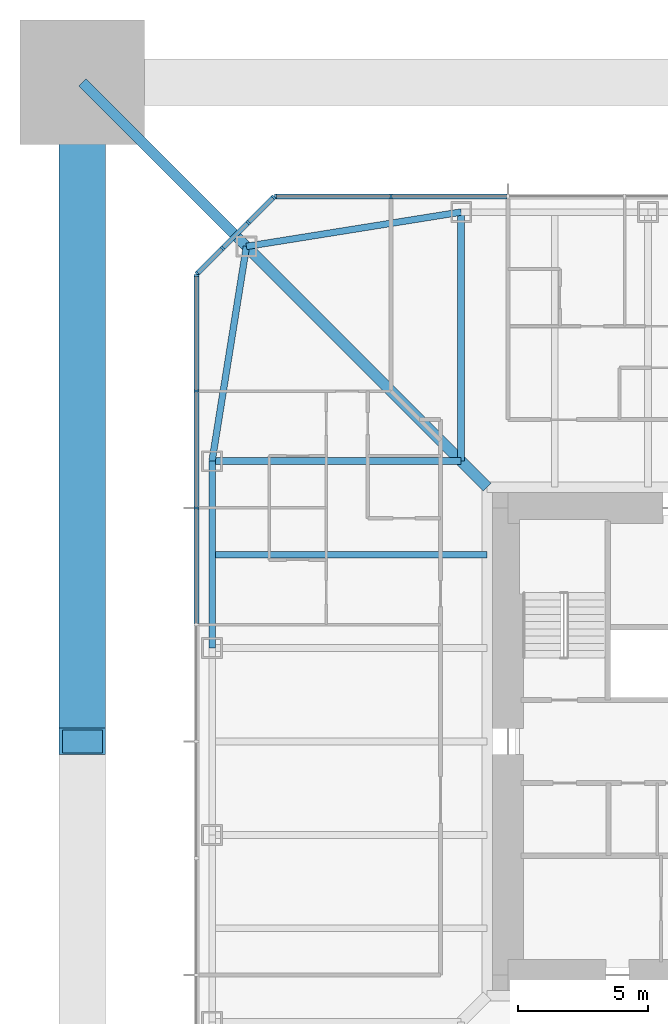
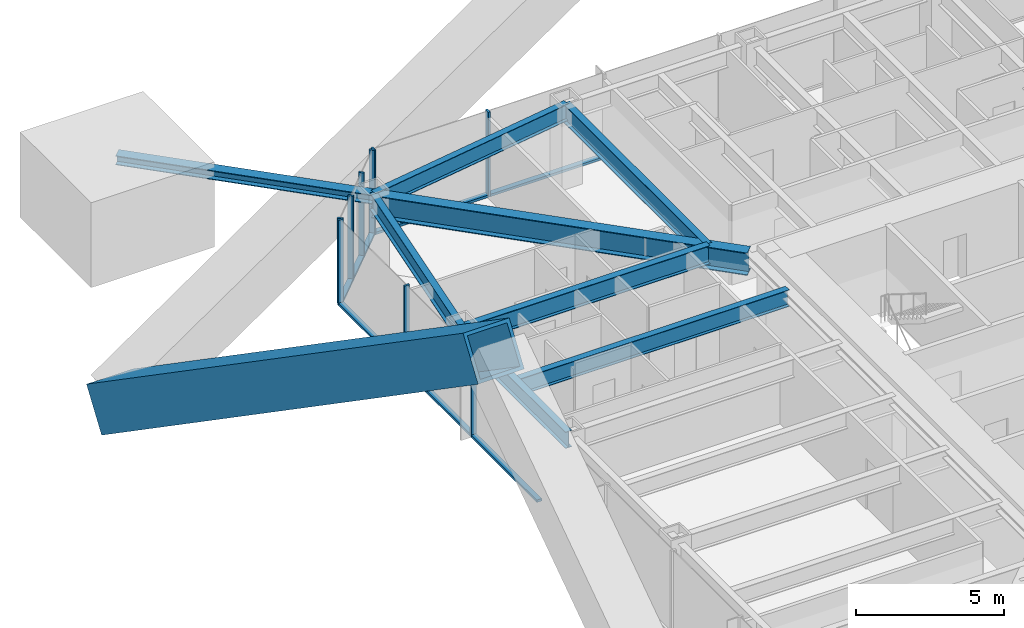
# One storey, part 6 of 26: 19 members, 7 beams, 3 elements without a shape of their own.
"""IFC4 building model written with IfcOpenShell, lengths in metres."""

from ifc_helpers import new_model, si_unit, direction, frame, origin, origin_2d, place, context, subcontext, project, spatial, rectangle, hollow_rectangle, i_section, extrude, material, material_profile, profile_set, type_object, element, aggregate, save


model = new_model("IFC4")

# Units and contexts
model_context = context("Model", 3, precision=1e-05, world=origin(), true_north=direction((0.0, 1.0)))
body_context = subcontext(model_context, "Body", "Model", "MODEL_VIEW")
ifc_project = project(units=[si_unit("LENGTHUNIT", "METRE"), si_unit("AREAUNIT", "SQUARE_METRE"), si_unit("VOLUMEUNIT", "CUBIC_METRE"), si_unit("PLANEANGLEUNIT", "RADIAN"), si_unit("MASSUNIT", "GRAM", prefix="KILO")], contexts=[model_context])

# Site, building, storey
site_placement = place(None, origin())
site = spatial("IfcSite", under=ifc_project, at=site_placement, CompositionType="ELEMENT")
building_placement = place(site_placement, origin())
building = spatial("IfcBuilding", under=site, at=building_placement, Name="Iwan Alto Co-Living Towers", CompositionType="ELEMENT")
storey_placement = place(building_placement, frame((0.0, 0.0, 115.5)))
storey = spatial("IfcBuildingStorey", under=building, at=storey_placement, Name="L31", CompositionType="ELEMENT", Elevation=115.5)

# Curtain wall, members
ifc_material_1 = material(Name="Bronze aluminium unitised frame", Category="aluminium")
curtain_wall_type_1 = type_object("IfcCurtainWallType", Name="CURTAIN WALL CW-A", PredefinedType="NOTDEFINED", material=ifc_material_1)
curtain_wall_1_placement = place(storey_placement, origin())
curtain_wall_1 = element("IfcCurtainWall", 1, at=curtain_wall_1_placement, inside=storey, type_object=curtain_wall_type_1, Name="T1 curtain wall N L31", PredefinedType="NOTDEFINED")
ifc_material_2 = material(Name="Aluminium 6063-T6 bronze anodised", Category="aluminium")
ifc_material_profile_1 = material_profile(ifc_material_2, rectangle(XDim=0.199951171875, YDim=0.080078125, at=origin_2d()), Name="AL 80X200")
ifc_profile_set_1 = profile_set([ifc_material_profile_1], Name="Aluminium 6063-T6 bronze anodised")
member_type_1 = type_object("IfcMemberType", Name="CW-A MULLION 80X200", PredefinedType="MULLION", material=ifc_profile_set_1)
member_1_placement = place(storey_placement, frame((-13.5, 21.0, 0.0), z_axis=(0.0, 0.0, 1.0), x_axis=(0.0, -1.0, 0.0)))
member_1 = element("IfcMember", 2, at=member_1_placement, type_object=member_type_1, Name="CW-A mullion 8", PredefinedType="MULLION", context=body_context, shape_type="SweptSolid", body=[
    extrude(rectangle(XDim=0.199951171875, YDim=0.080078125, at=origin_2d()), origin(), (0.0, 0.0, 1.0), 3.5),
])
member_2_placement = place(storey_placement, frame((-17.9599609375, 21.0, 0.0), z_axis=(0.0, 0.0, 1.0), x_axis=(0.0, -1.0, 0.0)))
member_2 = element("IfcMember", 3, at=member_2_placement, type_object=member_type_1, Name="CW-A mullion 9", PredefinedType="MULLION", context=body_context, shape_type="SweptSolid", body=[
    extrude(rectangle(XDim=0.199951171875, YDim=0.080078125, at=origin_2d()), origin(), (0.0, 0.0, 1.0), 3.5),
])

curtain_wall_2_placement = place(storey_placement, origin())
curtain_wall_2 = element("IfcCurtainWall", 4, at=curtain_wall_2_placement, inside=storey, type_object=curtain_wall_type_1, Name="T1 curtain wall W L31", PredefinedType="NOTDEFINED")
member_3_placement = place(storey_placement, frame((-21.0, 17.9599609375, 0.0), z_axis=(0.0, 0.0, 1.0), x_axis=(1.0, 0.0, 0.0)))
member_3 = element("IfcMember", 5, at=member_3_placement, type_object=member_type_1, Name="CW-A mullion 1", PredefinedType="MULLION", context=body_context, shape_type="SweptSolid", body=[
    extrude(rectangle(XDim=0.199951171875, YDim=0.080078125, at=origin_2d()), origin(), (0.0, 0.0, 1.0), 3.5),
])
member_4_placement = place(storey_placement, frame((-21.0, 13.5, 0.0), z_axis=(0.0, 0.0, 1.0), x_axis=(1.0, 0.0, 0.0)))
member_4 = element("IfcMember", 6, at=member_4_placement, type_object=member_type_1, Name="CW-A mullion 2", PredefinedType="MULLION", context=body_context, shape_type="SweptSolid", body=[
    extrude(rectangle(XDim=0.199951171875, YDim=0.080078125, at=origin_2d()), origin(), (0.0, 0.0, 1.0), 3.5),
])
member_5_placement = place(storey_placement, frame((-21.0, 9.0, 0.0), z_axis=(0.0, 0.0, 1.0), x_axis=(1.0, 0.0, 0.0)))
member_5 = element("IfcMember", 7, at=member_5_placement, type_object=member_type_1, Name="CW-A mullion 3", PredefinedType="MULLION", context=body_context, shape_type="SweptSolid", body=[
    extrude(rectangle(XDim=0.199951171875, YDim=0.080078125, at=origin_2d()), origin(), (0.0, 0.0, 1.0), 3.5),
])

# Member
ifc_material_3 = material(Name="Aluminium 6063-T6 bronze anodised", Category="aluminium")
ifc_material_profile_2 = material_profile(ifc_material_3, rectangle(XDim=0.199951171875, YDim=0.10009765625, at=origin_2d()), Name="AL 200X100")
ifc_profile_set_2 = profile_set([ifc_material_profile_2], Name="Aluminium 6063-T6 bronze anodised")
member_type_2 = type_object("IfcMemberType", Name="CW-A TRANSOM 200X100", PredefinedType="USERDEFINED", material=ifc_profile_set_2)
member_6_placement = place(storey_placement, frame((-9.0400390625, 21.0, 0.050048828125), z_axis=(-1.0, 0.0, 0.0), x_axis=(0.0, -1.0, 0.0)))
member_6 = element("IfcMember", 8, at=member_6_placement, type_object=member_type_2, Name="CW-A transom 7.1", ObjectType="TRANSOM", PredefinedType="USERDEFINED", context=body_context, shape_type="SweptSolid", body=[
    extrude(rectangle(XDim=0.199951171875, YDim=0.10009765625, at=origin_2d()), origin(), (0.0, 0.0, 1.0), 4.419921875),
])

member_7_placement = place(storey_placement, frame((-13.5400390625, 21.0, 0.050048828125), z_axis=(-1.0, 0.0, 0.0), x_axis=(0.0, -1.0, 0.0)))
member_7 = element("IfcMember", 9, at=member_7_placement, type_object=member_type_2, Name="CW-A transom 8.1", ObjectType="TRANSOM", PredefinedType="USERDEFINED", context=body_context, shape_type="SweptSolid", body=[
    extrude(rectangle(XDim=0.199951171875, YDim=0.10009765625, at=origin_2d()), origin(), (0.0, 0.0, 1.0), 4.3798828125),
])

aggregate(curtain_wall_1, [member_1, member_2, member_6, member_7])

member_8_placement = place(storey_placement, frame((-21.0, 17.919921875, 0.050048828125), z_axis=(0.0, -1.0, 0.0), x_axis=(1.0, 0.0, 0.0)))
member_8 = element("IfcMember", 10, at=member_8_placement, type_object=member_type_2, Name="CW-A transom 1.1", ObjectType="TRANSOM", PredefinedType="USERDEFINED", context=body_context, shape_type="SweptSolid", body=[
    extrude(rectangle(XDim=0.199951171875, YDim=0.10009765625, at=origin_2d()), origin(), (0.0, 0.0, 1.0), 4.3798828125),
])

member_9_placement = place(storey_placement, frame((-21.0, 13.4599609375, 0.050048828125), z_axis=(0.0, -1.0, 0.0), x_axis=(1.0, 0.0, 0.0)))
member_9 = element("IfcMember", 11, at=member_9_placement, type_object=member_type_2, Name="CW-A transom 2.1", ObjectType="TRANSOM", PredefinedType="USERDEFINED", context=body_context, shape_type="SweptSolid", body=[
    extrude(rectangle(XDim=0.199951171875, YDim=0.10009765625, at=origin_2d()), origin(), (0.0, 0.0, 1.0), 4.419921875),
])

member_10_placement = place(storey_placement, frame((-21.0, 8.9599609375, 0.050048828125), z_axis=(0.0, -1.0, 0.0), x_axis=(1.0, 0.0, 0.0)))
member_10 = element("IfcMember", 12, at=member_10_placement, type_object=member_type_2, Name="CW-A transom 3.1", ObjectType="TRANSOM", PredefinedType="USERDEFINED", context=body_context, shape_type="SweptSolid", body=[
    extrude(rectangle(XDim=0.199951171875, YDim=0.10009765625, at=origin_2d()), origin(), (0.0, 0.0, 1.0), 4.419921875),
])

aggregate(curtain_wall_2, [member_3, member_4, member_5, member_8, member_9, member_10])

# Curtain wall, members
ifc_material_4 = material(Name="Bronze aluminium unitised frame", Category="aluminium")
curtain_wall_type_2 = type_object("IfcCurtainWallType", Name="CURTAIN WALL CW-B", PredefinedType="NOTDEFINED", material=ifc_material_4)
curtain_wall_3_placement = place(storey_placement, origin())
curtain_wall_3 = element("IfcCurtainWall", 13, at=curtain_wall_3_placement, inside=storey, type_object=curtain_wall_type_2, Name="T1 chamfer curtain wall NW L31", PredefinedType="NOTDEFINED")
ifc_material_5 = material(Name="Aluminium 6063-T6 bronze anodised", Category="aluminium")
ifc_material_profile_3 = material_profile(ifc_material_5, rectangle(XDim=0.199951171875, YDim=0.080078125, at=origin_2d()), Name="AL 80X200")
ifc_profile_set_3 = profile_set([ifc_material_profile_3], Name="Aluminium 6063-T6 bronze anodised")
member_type_3 = type_object("IfcMemberType", Name="CW-B MULLION 80X200", PredefinedType="MULLION", material=ifc_profile_set_3)
member_11_placement = place(storey_placement, frame((-18.0283203125, 20.9716796875, 0.0), z_axis=(0.0, 0.0, 1.0), x_axis=(0.707106781187, -0.707106781187, 0.0)))
member_11 = element("IfcMember", 14, at=member_11_placement, type_object=member_type_3, Name="CW-B mullion 1", PredefinedType="MULLION", context=body_context, shape_type="SweptSolid", body=[
    extrude(rectangle(XDim=0.199951171875, YDim=0.080078125, at=origin_2d()), origin(), (0.0, 0.0, 1.0), 3.5),
])
member_12_placement = place(storey_placement, frame((-19.0, 20.0, 0.0), z_axis=(0.0, 0.0, 1.0), x_axis=(0.707106781187, -0.707106781187, 0.0)))
member_12 = element("IfcMember", 15, at=member_12_placement, type_object=member_type_3, Name="CW-B mullion 2", PredefinedType="MULLION", context=body_context, shape_type="SweptSolid", body=[
    extrude(rectangle(XDim=0.199951171875, YDim=0.080078125, at=origin_2d()), origin(), (0.0, 0.0, 1.0), 3.5),
])
member_13_placement = place(storey_placement, frame((-20.0, 19.0, 0.0), z_axis=(0.0, 0.0, 1.0), x_axis=(0.707106781187, -0.707106781187, 0.0)))
member_13 = element("IfcMember", 16, at=member_13_placement, type_object=member_type_3, Name="CW-B mullion 3", PredefinedType="MULLION", context=body_context, shape_type="SweptSolid", body=[
    extrude(rectangle(XDim=0.199951171875, YDim=0.080078125, at=origin_2d()), origin(), (0.0, 0.0, 1.0), 3.5),
])
member_14_placement = place(storey_placement, frame((-20.9716796875, 18.0283203125, 0.0), z_axis=(0.0, 0.0, 1.0), x_axis=(0.707106781187, -0.707106781187, 0.0)))
member_14 = element("IfcMember", 17, at=member_14_placement, type_object=member_type_3, Name="CW-B mullion 4", PredefinedType="MULLION", context=body_context, shape_type="SweptSolid", body=[
    extrude(rectangle(XDim=0.199951171875, YDim=0.080078125, at=origin_2d()), origin(), (0.0, 0.0, 1.0), 3.5),
])
ifc_material_6 = material(Name="Aluminium 6063-T6 bronze anodised", Category="aluminium")
ifc_material_profile_4 = material_profile(ifc_material_6, rectangle(XDim=0.199951171875, YDim=0.10009765625, at=origin_2d()), Name="AL 200X100")
ifc_profile_set_4 = profile_set([ifc_material_profile_4], Name="Aluminium 6063-T6 bronze anodised")
member_type_4 = type_object("IfcMemberType", Name="CW-B TRANSOM 200X100", PredefinedType="USERDEFINED", material=ifc_profile_set_4)
member_15_placement = place(storey_placement, frame((-18.056640625, 20.943359375, 0.050048828125), z_axis=(-0.707106781187, -0.707106781187, 0.0), x_axis=(0.707106781187, -0.707106781187, 0.0)))
member_15 = element("IfcMember", 18, at=member_15_placement, type_object=member_type_4, Name="CW-B transom 1.1", ObjectType="TRANSOM", PredefinedType="USERDEFINED", context=body_context, shape_type="SweptSolid", body=[
    extrude(rectangle(XDim=0.199951171875, YDim=0.10009765625, at=origin_2d()), origin(), (0.0, 0.0, 1.0), 1.2939453125),
])
member_16_placement = place(storey_placement, frame((-19.0283203125, 19.9716796875, 0.050048828125), z_axis=(-0.707106781187, -0.707106781187, 0.0), x_axis=(0.707106781187, -0.707106781187, 0.0)))
member_16 = element("IfcMember", 19, at=member_16_placement, type_object=member_type_4, Name="CW-B transom 2.1", ObjectType="TRANSOM", PredefinedType="USERDEFINED", context=body_context, shape_type="SweptSolid", body=[
    extrude(rectangle(XDim=0.199951171875, YDim=0.10009765625, at=origin_2d()), origin(), (0.0, 0.0, 1.0), 1.334228515625),
])
member_17_placement = place(storey_placement, frame((-20.0283203125, 18.9716796875, 0.050048828125), z_axis=(-0.707106781187, -0.707106781187, 0.0), x_axis=(0.707106781187, -0.707106781187, 0.0)))
member_17 = element("IfcMember", 20, at=member_17_placement, type_object=member_type_4, Name="CW-B transom 3.1", ObjectType="TRANSOM", PredefinedType="USERDEFINED", context=body_context, shape_type="SweptSolid", body=[
    extrude(rectangle(XDim=0.199951171875, YDim=0.10009765625, at=origin_2d()), origin(), (0.0, 0.0, 1.0), 1.2939453125),
])
aggregate(curtain_wall_3, [member_11, member_12, member_13, member_14, member_15, member_16, member_17])

# Beams
ifc_material_7 = material(Name="Steel ASTM A992 Gr 50", Category="steel")
ifc_material_profile_5 = material_profile(ifc_material_7, i_section(OverallWidth=0.419189453125, OverallDepth=0.927001953125, WebThickness=0.019287109375, FlangeThickness=0.031982421875, at=origin_2d()), Name="W36X231")
ifc_profile_set_5 = profile_set([ifc_material_profile_5], Name="Steel ASTM A992 Gr 50")
beam_type_1 = type_object("IfcBeamType", Name="T1 CORNER GIRDER W36X231", PredefinedType="BEAM", material=ifc_profile_set_5)
beam_1_placement = place(storey_placement, frame((-19.07568359375, 19.07568359375, 2.806396484375), z_axis=(0.707106781187, -0.707106781187, 0.0), x_axis=(0.707106781187, 0.707106781187, 0.0)))
element("IfcBeam", 21, at=beam_1_placement, inside=storey, type_object=beam_type_1, Name="T1 corner girder CNW L32", PredefinedType="BEAM", context=body_context, shape_type="SweptSolid", body=[
    extrude(i_section(OverallWidth=0.419189453125, OverallDepth=0.927001953125, WebThickness=0.019287109375, FlangeThickness=0.031982421875, at=origin_2d()), origin(), (0.0, 0.0, 1.0), 13.11865234375),
])
ifc_material_8 = material(Name="Steel ASTM A992 Gr 50", Category="steel")
ifc_material_profile_6 = material_profile(ifc_material_8, i_section(OverallWidth=0.25390625, OverallDepth=0.683349609375, WebThickness=0.012451171875, FlangeThickness=0.018798828125, at=origin_2d()), Name="W27X94")
ifc_profile_set_6 = profile_set([ifc_material_profile_6], Name="Steel ASTM A992 Gr 50")
beam_type_2 = type_object("IfcBeamType", Name="T1 EDGE BEAM W27X94", PredefinedType="BEAM", material=ifc_profile_set_6)
for number, where, z_axis, x_axis, name in (
    (22, (-10.800048828125, 20.39990234375, 2.928466796875), (-0.987438450439, -0.158004134737, 0.0), (0.158004134737, -0.987438450439, 0.0), "T1 edge beam N4 L32"),
    (23, (-19.07568359375, 19.07568359375, 2.928466796875), (-0.158004134737, -0.987438450439, 0.0), (0.987438450439, -0.158004134737, 0.0), "T1 edge beam CNW L32"),
):
    element("IfcBeam", number, at=place(storey_placement, frame(where, z_axis=z_axis, x_axis=x_axis)), inside=storey, type_object=beam_type_2, Name=name, PredefinedType="BEAM", context=body_context, shape_type="SweptSolid", body=[
        extrude(i_section(OverallWidth=0.25390625, OverallDepth=0.683349609375, WebThickness=0.012451171875, FlangeThickness=0.018798828125, at=origin_2d()), origin(), (0.0, 0.0, 1.0), 8.380859375),
    ])
beam_2_placement = place(storey_placement, frame((-20.39990234375, 10.800048828125, 2.928466796875), z_axis=(0.0, -1.0, 0.0), x_axis=(1.0, 0.0, 0.0)))
element("IfcBeam", 24, at=beam_2_placement, inside=storey, type_object=beam_type_2, Name="T1 edge beam W1 L32", PredefinedType="BEAM", context=body_context, shape_type="SweptSolid", body=[
    extrude(i_section(OverallWidth=0.25390625, OverallDepth=0.683349609375, WebThickness=0.012451171875, FlangeThickness=0.018798828125, at=origin_2d()), origin(), (0.0, 0.0, 1.0), 7.199951171875),
])

# Members
ifc_material_9 = material(Name="Steel ASTM A572 Gr 42", Category="steel")
ifc_material_profile_7 = material_profile(ifc_material_9, hollow_rectangle(XDim=1.800048828125, YDim=1.800048828125, WallThickness=0.1298828125, at=origin_2d()), Name="BOX 1800X1800X130")
ifc_profile_set_7 = profile_set([ifc_material_profile_7], Name="Steel ASTM A572 Gr 42")
member_type_5 = type_object("IfcMemberType", Name="T1 MEGA BRACE BOX 1800X1800X130", PredefinedType="BRACE", material=ifc_profile_set_7)
member_18_placement = place(storey_placement, frame((-25.39990234375, 25.39990234375, -7.0), z_axis=(0.0, -0.82347292246, 0.56735557279), x_axis=(1.0, 0.0, 0.0)))
element("IfcMember", 25, at=member_18_placement, inside=storey, type_object=member_type_5, Name="T1 mega brace Z2B W 1 lower", PredefinedType="BRACE", context=body_context, shape_type="SweptSolid", body=[
    extrude(hollow_rectangle(XDim=1.800048828125, YDim=1.800048828125, WallThickness=0.1298828125, at=origin_2d()), origin(), (0.0, 0.0, 1.0), 30.844970703125),
])
ifc_material_10 = material(Name="Steel ASTM A992 Gr 50", Category="steel")
ifc_material_profile_8 = material_profile(ifc_material_10, i_section(OverallWidth=0.393798828125, OverallDepth=0.3759765625, WebThickness=0.017333984375, FlangeThickness=0.027587890625, at=origin_2d()), Name="W14X145")
ifc_profile_set_8 = profile_set([ifc_material_profile_8], Name="Steel ASTM A992 Gr 50")
member_type_6 = type_object("IfcMemberType", Name="T1 MEGA COLUMN FLOOR TIE W14X145", PredefinedType="STRUT", material=ifc_profile_set_8)
member_19_placement = place(storey_placement, frame((-25.39990234375, 25.39990234375, 3.08203125), z_axis=(0.707106781187, -0.707106781187, 0.0), x_axis=(0.707106781187, 0.707106781187, 0.0)))
element("IfcMember", 26, at=member_19_placement, inside=storey, type_object=member_type_6, Name="T1 mega column floor tie NW L32", PredefinedType="STRUT", context=body_context, shape_type="SweptSolid", body=[
    extrude(i_section(OverallWidth=0.393798828125, OverallDepth=0.3759765625, WebThickness=0.017333984375, FlangeThickness=0.027587890625, at=origin_2d()), origin(), (0.0, 0.0, 1.0), 8.94384765625),
])

# Beams
ifc_material_11 = material(Name="Steel ASTM A992 Gr 50", Category="steel")
ifc_material_profile_9 = material_profile(ifc_material_11, i_section(OverallWidth=0.2666015625, OverallDepth=0.761962890625, WebThickness=0.014404296875, FlangeThickness=0.021484375, at=origin_2d()), Name="W30X116")
ifc_profile_set_9 = profile_set([ifc_material_profile_9], Name="Steel ASTM A992 Gr 50")
beam_type_3 = type_object("IfcBeamType", Name="T1 RADIAL BEAM W30X116", PredefinedType="BEAM", material=ifc_profile_set_9)
for number, where, z_axis, x_axis, name in (
    (27, (-10.800048828125, 20.39990234375, 2.888916015625), (0.0, -1.0, 0.0), (1.0, 0.0, 0.0), "T1 radial beam N4 L32"),
    (28, (-20.39990234375, 10.800048828125, 2.888916015625), (1.0, 0.0, 0.0), (0.0, 1.0, 0.0), "T1 radial beam W1 L32"),
):
    element("IfcBeam", number, at=place(storey_placement, frame(where, z_axis=z_axis, x_axis=x_axis)), inside=storey, type_object=beam_type_3, Name=name, PredefinedType="BEAM", context=body_context, shape_type="SweptSolid", body=[
        extrude(i_section(OverallWidth=0.2666015625, OverallDepth=0.761962890625, WebThickness=0.014404296875, FlangeThickness=0.021484375, at=origin_2d()), origin(), (0.0, 0.0, 1.0), 9.599853515625),
    ])
ifc_material_12 = material(Name="Steel ASTM A992 Gr 50", Category="steel")
ifc_material_profile_10 = material_profile(ifc_material_12, i_section(OverallWidth=0.25390625, OverallDepth=0.683349609375, WebThickness=0.012451171875, FlangeThickness=0.018798828125, at=origin_2d()), Name="W27X94")
ifc_profile_set_10 = profile_set([ifc_material_profile_10], Name="Steel ASTM A992 Gr 50")
beam_type_4 = type_object("IfcBeamType", Name="T1 SECONDARY BEAM W27X94", PredefinedType="JOIST", material=ifc_profile_set_10)
beam_3_placement = place(storey_placement, frame((-20.39990234375, 7.199951171875, 2.928466796875), z_axis=(1.0, 0.0, 0.0), x_axis=(0.0, 1.0, 0.0)))
element("IfcBeam", 29, at=beam_3_placement, inside=storey, type_object=beam_type_4, Name="T1 secondary beam W1 L32", PredefinedType="JOIST", context=body_context, shape_type="SweptSolid", body=[
    extrude(i_section(OverallWidth=0.25390625, OverallDepth=0.683349609375, WebThickness=0.012451171875, FlangeThickness=0.018798828125, at=origin_2d()), origin(), (0.0, 0.0, 1.0), 10.6005859375),
])

save(model, "model.ifc")
